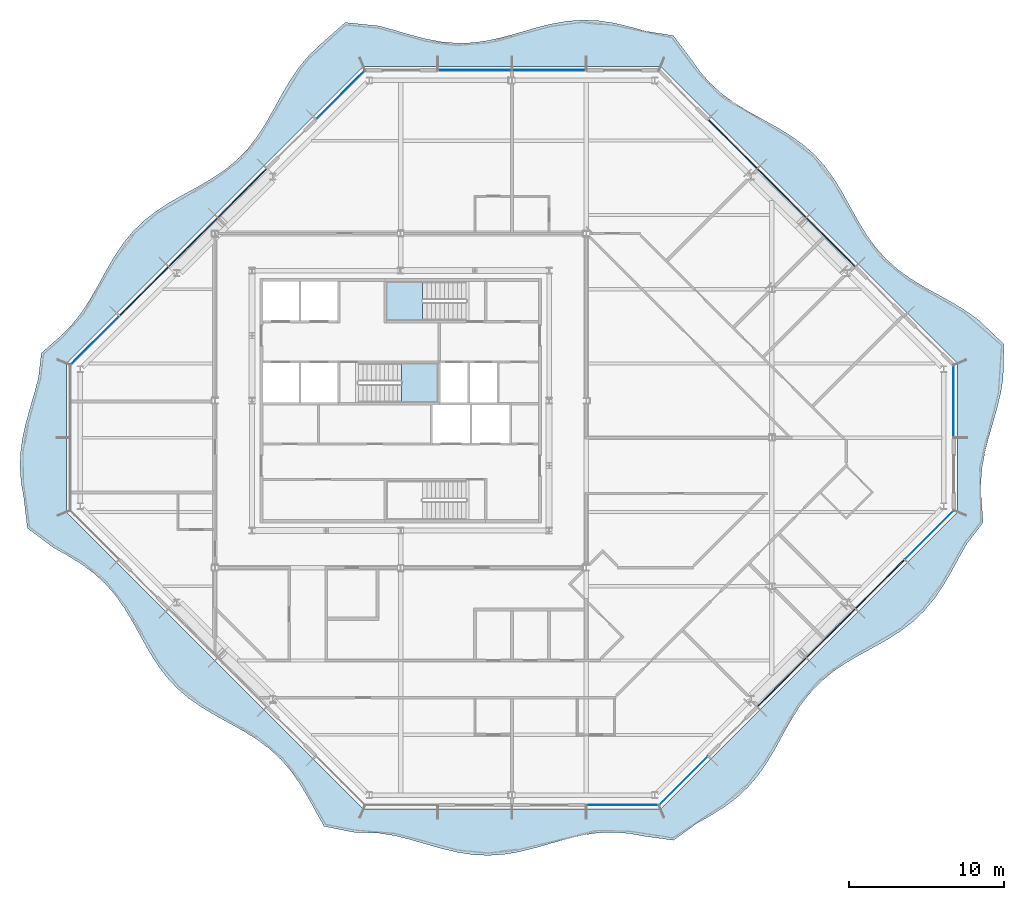
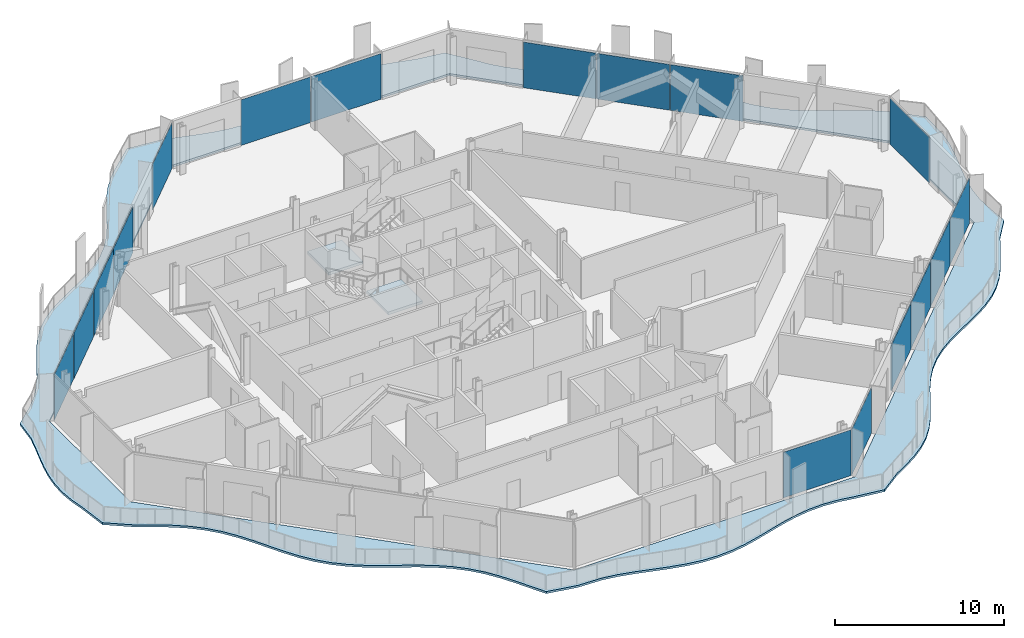
# One storey, part 6 of 17: 17 plates, 3 slabs, 8 elements without a shape of their own.
"""IFC4 building model written with IfcOpenShell, lengths in metres."""

from ifc_helpers import new_model, si_unit, direction, frame, origin, origin_2d, place, context, subcontext, project, spatial, polyline, rectangle, outline, extrude, material, layer, layer_set, type_object, element, aggregate, save


model = new_model("IFC4")

# Units and contexts
model_context = context("Model", 3, precision=1e-05, world=origin(), true_north=direction((0.0, 1.0)))
body_context = subcontext(model_context, "Body", "Model", "MODEL_VIEW")
ifc_project = project(units=[si_unit("LENGTHUNIT", "METRE"), si_unit("AREAUNIT", "SQUARE_METRE"), si_unit("VOLUMEUNIT", "CUBIC_METRE"), si_unit("PLANEANGLEUNIT", "RADIAN"), si_unit("MASSUNIT", "GRAM", prefix="KILO")], contexts=[model_context])

# Site, building, storey
site_placement = place(None, origin())
site = spatial("IfcSite", under=ifc_project, at=site_placement, CompositionType="ELEMENT")
building_placement = place(site_placement, origin())
building = spatial("IfcBuilding", under=site, at=building_placement, Name="Cairn Pilgrim Tower", CompositionType="ELEMENT")
storey_placement = place(building_placement, frame((0.0, 0.0, 214.199951171875)))
storey = spatial("IfcBuildingStorey", under=building, at=storey_placement, Name="L54", CompositionType="ELEMENT", Elevation=214.199951171875)

# Slab
ifc_material_1 = material(Name="Concrete C35/45", Category="concrete")
ifc_layer_1 = layer(ifc_material_1, 0.14990234375)
ifc_layer_set_1 = layer_set([ifc_layer_1], Name="BALCONY SLAB 150 CONCRETE C35/45")
slab_type_1 = type_object("IfcSlabType", Name="BALCONY SLAB 150 CONCRETE C35/45", PredefinedType="FLOOR", material=ifc_layer_set_1)
slab_1_placement = place(storey_placement, frame((0.0, 0.0, -0.14990234375)))
element("IfcSlab", 1, at=slab_1_placement, inside=storey, type_object=slab_type_1, Name="Balcony slab BS-1", PredefinedType="FLOOR", context=body_context, shape_type="SweptSolid", body=[
    extrude(outline(polyline([(2.256103515625, -25.121826171875), (4.1787109375, -25.5), (5.810546875, -25.558349609375), (6.821044921875, -25.72412109375), (7.83154296875, -25.9716796875), (8.842041015625, -26.262451171875), (9.8525390625, -26.55126953125), (10.863037109375, -26.793212890625), (11.873779296875, -26.950927734375), (12.88427734375, -26.99951171875), (13.894775390625, -26.931640625), (14.9052734375, -26.758056640625), (15.915771484375, -26.505126953125), (16.92626953125, -26.212890625), (17.936767578125, -25.92626953125), (18.947265625, -25.68994140625), (19.9580078125, -25.54052734375), (20.968505859375, -25.501708984375), (21.97900390625, -25.578857421875), (22.989501953125, -25.760498046875), (24.8359375, -26.018310546875), (26.344970703125, -24.922607421875), (27.256103515625, -24.41162109375), (28.1298828125, -23.86328125), (28.941162109375, -23.25244140625), (29.6748046875, -22.563720703125), (30.326904296875, -21.793701171875), (30.906982421875, -20.951416015625), (31.434814453125, -20.056884765625), (31.938720703125, -19.138916015625), (32.450927734375, -18.228759765625), (33.001708984375, -17.357177734375), (33.61572265625, -16.549072265625), (34.30810546875, -15.8193359375), (35.081787109375, -15.170654296875), (35.9267578125, -14.593505859375), (36.822998046875, -14.0673828125), (37.741455078125, -13.563720703125), (38.650390625, -13.050537109375), (39.51953125, -12.497314453125), (40.324462890625, -11.8798828125), (41.050537109375, -11.183837890625), (41.695556640625, -10.40673828125), (42.27001953125, -9.558837890625), (42.79443359375, -8.6611328125), (43.2978515625, -7.7421875), (43.812255859375, -6.83447265625), (44.8515625, -5.484130859375), (44.72705078125, -3.840087890625), (44.704345703125, -2.8798828125), (44.7861328125, -1.919921875), (44.96142578125, -0.9599609375), (45.205078125, 0.0), (45.483154296875, 0.9599609375), (45.7568359375, 1.919921875), (45.987060546875, 2.8798828125), (46.14208984375, 3.840087890625), (46.199951171875, 6.04248046875), (44.572998046875, 7.59521484375), (43.7490234375, 8.193359375), (42.866455078125, 8.733154296875), (41.95166015625, 9.240478515625), (41.0361328125, 9.747314453125), (40.1513671875, 10.28466796875), (39.32373046875, 10.87939453125), (38.57177734375, 11.549560546875), (37.9013671875, 12.30126953125), (37.306396484375, 13.12841796875), (36.768798828125, 14.01318359375), (36.261962890625, 14.9287109375), (35.754638671875, 15.843505859375), (35.215087890625, 16.726318359375), (34.6171875, 17.550537109375), (33.943359375, 18.299072265625), (33.18798828125, 18.9658203125), (32.35791015625, 19.557861328125), (31.47119140625, 20.09326171875), (30.554931640625, 20.599365234375), (29.640869140625, 21.107666015625), (28.76025390625, 21.649169921875), (27.939208984375, 22.250244140625), (27.1943359375, 22.927734375), (26.531005859375, 23.686767578125), (25.942138671875, 24.52001953125), (24.8251953125, 25.991943359375), (22.989501953125, 26.2841796875), (21.97900390625, 26.571044921875), (20.968505859375, 26.80810546875), (19.9580078125, 26.95849609375), (18.947265625, 26.99853515625), (17.936767578125, 26.92236328125), (16.92626953125, 26.74169921875), (15.915771484375, 26.484619140625), (14.9052734375, 26.19091796875), (13.894775390625, 25.906494140625), (12.88427734375, 25.675537109375), (11.873779296875, 25.533935546875), (10.863037109375, 25.50341796875), (9.8525390625, 25.589111328125), (8.842041015625, 25.77734375), (7.83154296875, 26.0390625), (6.821044921875, 26.333740234375), (5.810546875, 26.615234375), (3.62353515625, 26.840087890625), (1.98681640625, 25.390869140625), (1.260498046875, 24.695068359375), (0.615234375, 23.91796875), (0.041015625, 23.0703125), (-0.483642578125, 22.172607421875), (-0.987060546875, 21.253662109375), (-1.50146484375, 20.345947265625), (-2.056884765625, 19.47900390625), (-2.677490234375, 18.677490234375), (-3.377197265625, 17.954833984375), (-4.15771484375, 17.313232421875), (-5.00830078125, 16.741455078125), (-5.907470703125, 16.218505859375), (-6.826416015625, 15.71533203125), (-7.733154296875, 15.19970703125), (-8.597412109375, 14.641845703125), (-9.395751953125, 14.017822265625), (-10.114501953125, 13.314453125), (-10.7529296875, 12.530517578125), (-11.32177734375, 11.67724609375), (-11.843017578125, 10.7763671875), (-12.34619140625, 9.857421875), (-12.863037109375, 8.951904296875), (-13.423583984375, 8.09033203125), (-14.05078125, 7.29541015625), (-14.7578125, 6.580078125), (-16.019775390625, 5.470947265625), (-16.213623046875, 3.840087890625), (-16.46875, 2.8798828125), (-16.74951171875, 1.919921875), (-17.01611328125, 0.9599609375), (-17.2314453125, 0.0), (-17.364990234375, -0.9599609375), (-17.398193359375, -1.919921875), (-17.326171875, -2.8798828125), (-17.159423828125, -3.840087890625), (-16.9208984375, -5.84423828125), (-15.266357421875, -7.088623046875), (-14.3525390625, -7.596923828125), (-13.4716796875, -8.138427734375), (-12.650390625, -8.7392578125), (-11.905517578125, -9.41650390625), (-11.2421875, -10.17529296875), (-10.653076171875, -11.008544921875), (-10.119384765625, -11.897216796875), (-9.61376953125, -12.813720703125), (-9.104736328125, -13.72705078125), (-8.56103515625, -14.605712890625), (-7.95703125, -15.423828125), (-7.276123046875, -16.1650390625), (-6.513671875, -16.82470703125), (-5.677490234375, -17.410888671875), (-4.787109375, -17.942626953125), (-3.869873046875, -18.447509765625), (-2.95751953125, -18.95751953125), (-2.081298828125, -19.50341796875), (-1.26611328125, -20.110595703125), (-0.528564453125, -20.795166015625), (0.12744140625, -21.561279296875), (0.710693359375, -22.400390625), (1.24072265625, -23.292724609375), (1.7451171875, -24.21044921875), (2.256103515625, -25.121826171875)]), holes=[polyline([(24.0, -24.0), (4.800048828125, -24.0), (-14.39990234375, -4.800048828125), (-14.39990234375, 4.800048828125), (4.800048828125, 24.0), (24.0, 24.0), (43.199951171875, 4.800048828125), (43.199951171875, -4.800048828125), (24.0, -24.0)])]), origin(), (0.0, 0.0, 1.0), 0.14990234375),
])

# Curtain wall, plates
ifc_material_2 = material(Name="Aluminium alloy 6063-T6 bronze anodised with Bronze tinted laminated low-E glass 8+16+8.8", Category="aluminium")
curtain_wall_type_1 = type_object("IfcCurtainWallType", Name="CHAMFER CORNER CURTAIN WALL", PredefinedType="NOTDEFINED", material=ifc_material_2)
curtain_wall_1_placement = place(storey_placement, origin())
curtain_wall_1 = element("IfcCurtainWall", 2, at=curtain_wall_1_placement, inside=storey, type_object=curtain_wall_type_1, Name="Chamfer Corner Curtain Wall SE", PredefinedType="NOTDEFINED")
ifc_material_3 = material(Name="Bronze anodised aluminium spandrel panel with mineral wool insulation", Category="aluminium")
ifc_layer_2 = layer(ifc_material_3, 0.06005859375)
ifc_layer_set_2 = layer_set([ifc_layer_2], Name="SPANDREL PANEL 4431x3300")
plate_type_1 = type_object("IfcPlateType", Name="SPANDREL PANEL 4431x3300", PredefinedType="CURTAIN_PANEL", material=ifc_layer_set_2)
plate_1_placement = place(storey_placement, frame((31.83544921875, -15.81103515625, 0.0), z_axis=(0.0, 0.0, 1.0), x_axis=(0.707106781187, 0.707106781187, 0.0)))
plate_1 = element("IfcPlate", 3, at=plate_1_placement, type_object=plate_type_1, Name="Spandrel Panel SE3-1", PredefinedType="CURTAIN_PANEL", context=body_context, shape_type="SweptSolid", body=[
    extrude(rectangle(XDim=4.430908203125, YDim=0.06005859375, at=origin_2d()), origin(), (0.0, 0.0, 1.0), 3.300048828125),
])
plate_2_placement = place(storey_placement, frame((35.010986328125, -12.635498046875, 0.0), z_axis=(0.0, 0.0, 1.0), x_axis=(0.707106781187, 0.707106781187, 0.0)))
plate_2 = element("IfcPlate", 4, at=plate_2_placement, type_object=plate_type_1, Name="Spandrel Panel SE4-1", PredefinedType="CURTAIN_PANEL", context=body_context, shape_type="SweptSolid", body=[
    extrude(rectangle(XDim=4.430908203125, YDim=0.06005859375, at=origin_2d()), origin(), (0.0, 0.0, 1.0), 3.300048828125),
])
plate_3_placement = place(storey_placement, frame((38.1865234375, -9.459716796875, 0.0), z_axis=(0.0, 0.0, 1.0), x_axis=(0.707106781187, 0.707106781187, 0.0)))
plate_3 = element("IfcPlate", 5, at=plate_3_placement, type_object=plate_type_1, Name="Spandrel Panel SE5-1", PredefinedType="CURTAIN_PANEL", context=body_context, shape_type="SweptSolid", body=[
    extrude(rectangle(XDim=4.430908203125, YDim=0.06005859375, at=origin_2d()), origin(), (0.0, 0.0, 1.0), 3.300048828125),
])

curtain_wall_2_placement = place(storey_placement, origin())
curtain_wall_2 = element("IfcCurtainWall", 6, at=curtain_wall_2_placement, inside=storey, type_object=curtain_wall_type_1, Name="Chamfer Corner Curtain Wall NE", PredefinedType="NOTDEFINED")
plate_4_placement = place(storey_placement, frame((35.010986328125, 12.635498046875, 0.0), z_axis=(0.0, 0.0, 1.0), x_axis=(-0.707106781187, 0.707106781187, 0.0)))
plate_4 = element("IfcPlate", 7, at=plate_4_placement, type_object=plate_type_1, Name="Spandrel Panel NE3-1", PredefinedType="CURTAIN_PANEL", context=body_context, shape_type="SweptSolid", body=[
    extrude(rectangle(XDim=4.430908203125, YDim=0.06005859375, at=origin_2d()), origin(), (0.0, 0.0, 1.0), 3.300048828125),
])
plate_5_placement = place(storey_placement, frame((31.83544921875, 15.81103515625, 0.0), z_axis=(0.0, 0.0, 1.0), x_axis=(-0.707106781187, 0.707106781187, 0.0)))
plate_5 = element("IfcPlate", 8, at=plate_5_placement, type_object=plate_type_1, Name="Spandrel Panel NE4-1", PredefinedType="CURTAIN_PANEL", context=body_context, shape_type="SweptSolid", body=[
    extrude(rectangle(XDim=4.430908203125, YDim=0.06005859375, at=origin_2d()), origin(), (0.0, 0.0, 1.0), 3.300048828125),
])
plate_6_placement = place(storey_placement, frame((28.659912109375, 18.986572265625, 0.0), z_axis=(0.0, 0.0, 1.0), x_axis=(-0.707106781187, 0.707106781187, 0.0)))
plate_6 = element("IfcPlate", 9, at=plate_6_placement, type_object=plate_type_1, Name="Spandrel Panel NE5-1", PredefinedType="CURTAIN_PANEL", context=body_context, shape_type="SweptSolid", body=[
    extrude(rectangle(XDim=4.430908203125, YDim=0.06005859375, at=origin_2d()), origin(), (0.0, 0.0, 1.0), 3.300048828125),
])
aggregate(curtain_wall_2, [plate_4, plate_5, plate_6])

curtain_wall_3_placement = place(storey_placement, origin())
curtain_wall_3 = element("IfcCurtainWall", 10, at=curtain_wall_3_placement, inside=storey, type_object=curtain_wall_type_1, Name="Chamfer Corner Curtain Wall NW", PredefinedType="NOTDEFINED")
plate_7_placement = place(storey_placement, frame((-3.035400390625, 15.81103515625, 0.0), z_axis=(0.0, 0.0, 1.0), x_axis=(-0.707106781187, -0.707106781187, 0.0)))
plate_7 = element("IfcPlate", 11, at=plate_7_placement, type_object=plate_type_1, Name="Spandrel Panel NW3-1", PredefinedType="CURTAIN_PANEL", context=body_context, shape_type="SweptSolid", body=[
    extrude(rectangle(XDim=4.430908203125, YDim=0.06005859375, at=origin_2d()), origin(), (0.0, 0.0, 1.0), 3.300048828125),
])
plate_8_placement = place(storey_placement, frame((-6.2109375, 12.635498046875, 0.0), z_axis=(0.0, 0.0, 1.0), x_axis=(-0.707106781187, -0.707106781187, 0.0)))
plate_8 = element("IfcPlate", 12, at=plate_8_placement, type_object=plate_type_1, Name="Spandrel Panel NW4-1", PredefinedType="CURTAIN_PANEL", context=body_context, shape_type="SweptSolid", body=[
    extrude(rectangle(XDim=4.430908203125, YDim=0.06005859375, at=origin_2d()), origin(), (0.0, 0.0, 1.0), 3.300048828125),
])
plate_9_placement = place(storey_placement, frame((-9.38671875, 9.459716796875, 0.0), z_axis=(0.0, 0.0, 1.0), x_axis=(-0.707106781187, -0.707106781187, 0.0)))
plate_9 = element("IfcPlate", 13, at=plate_9_placement, type_object=plate_type_1, Name="Spandrel Panel NW5-1", PredefinedType="CURTAIN_PANEL", context=body_context, shape_type="SweptSolid", body=[
    extrude(rectangle(XDim=4.430908203125, YDim=0.06005859375, at=origin_2d()), origin(), (0.0, 0.0, 1.0), 3.300048828125),
])

# Stair, slab
ifc_material_4 = material(Name="Concrete C32/40", Category="concrete")
stair_type = type_object("IfcStairType", Name="EXIT STAIR 1200", PredefinedType="HALF_TURN_STAIR", material=ifc_material_4)
stair_1_placement = place(storey_placement, origin())
stair_1 = element("IfcStair", 14, at=stair_1_placement, inside=storey, type_object=stair_type, Name="L54 Exit Stair B", PredefinedType="HALF_TURN_STAIR")
ifc_layer_3 = layer(ifc_material_4, 0.199951171875)
ifc_layer_set_3 = layer_set([ifc_layer_3], Name="STAIR LANDING 200")
slab_type_2 = type_object("IfcSlabType", Name="STAIR LANDING 200", PredefinedType="LANDING", material=ifc_layer_set_3)
slab_2_placement = place(storey_placement, frame((0.0, 0.0, 1.60009765625)))
slab_2 = element("IfcSlab", 15, at=slab_2_placement, type_object=slab_type_2, Name="ST-B landing 1", PredefinedType="LANDING", context=body_context, shape_type="SweptSolid", body=[
    extrude(outline(polyline([(7.27490234375, 2.27490234375), (9.625, 2.27490234375), (9.625, 4.824951171875), (7.27490234375, 4.824951171875), (7.27490234375, 2.27490234375)])), origin(), (0.0, 0.0, 1.0), 0.199951171875),
])
aggregate(stair_1, [slab_2])

stair_2_placement = place(storey_placement, origin())
stair_2 = element("IfcStair", 16, at=stair_2_placement, inside=storey, type_object=stair_type, Name="L54 Exit Stair C", PredefinedType="HALF_TURN_STAIR")
slab_3_placement = place(storey_placement, frame((0.0, 0.0, 1.60009765625)))
slab_3 = element("IfcSlab", 17, at=slab_3_placement, type_object=slab_type_2, Name="ST-C landing 1", PredefinedType="LANDING", context=body_context, shape_type="SweptSolid", body=[
    extrude(outline(polyline([(8.625, 10.10009765625), (6.27490234375, 10.10009765625), (6.27490234375, 7.574951171875), (8.625, 7.574951171875), (8.625, 10.10009765625)])), origin(), (0.0, 0.0, 1.0), 0.199951171875),
])
aggregate(stair_2, [slab_3])

# Plate
ifc_material_5 = material(Name="Bronze tinted laminated low-E glass 8+16+8.8", Category="glass")
ifc_layer_4 = layer(ifc_material_5, 0.033935546875)
ifc_layer_set_4 = layer_set([ifc_layer_4], Name="VISION GLAZING 4421x3300")
plate_type_2 = type_object("IfcPlateType", Name="VISION GLAZING 4421x3300", PredefinedType="CURTAIN_PANEL", material=ifc_layer_set_4)
plate_10_placement = place(storey_placement, frame((25.48779296875, -22.15869140625, 0.0), z_axis=(0.0, 0.0, 1.0), x_axis=(0.707106781187, 0.707106781187, 0.0)))
plate_10 = element("IfcPlate", 18, at=plate_10_placement, type_object=plate_type_2, Name="Vision Glazing SE1-1", PredefinedType="CURTAIN_PANEL", context=body_context, shape_type="SweptSolid", body=[
    extrude(rectangle(XDim=4.4208984375, YDim=0.033935546875, at=origin_2d()), origin(), (0.0, 0.0, 1.0), 3.300048828125),
])

plate_11_placement = place(storey_placement, frame((41.358642578125, -6.287841796875, 0.0), z_axis=(0.0, 0.0, 1.0), x_axis=(0.707106781187, 0.707106781187, 0.0)))
plate_11 = element("IfcPlate", 19, at=plate_11_placement, type_object=plate_type_2, Name="Vision Glazing SE6-1", PredefinedType="CURTAIN_PANEL", context=body_context, shape_type="SweptSolid", body=[
    extrude(rectangle(XDim=4.4208984375, YDim=0.033935546875, at=origin_2d()), origin(), (0.0, 0.0, 1.0), 3.300048828125),
])

aggregate(curtain_wall_1, [plate_10, plate_1, plate_2, plate_3, plate_11])

plate_12_placement = place(storey_placement, frame((3.312255859375, 22.15869140625, 0.0), z_axis=(0.0, 0.0, 1.0), x_axis=(-0.707106781187, -0.707106781187, 0.0)))
plate_12 = element("IfcPlate", 20, at=plate_12_placement, type_object=plate_type_2, Name="Vision Glazing NW1-1", PredefinedType="CURTAIN_PANEL", context=body_context, shape_type="SweptSolid", body=[
    extrude(rectangle(XDim=4.4208984375, YDim=0.033935546875, at=origin_2d()), origin(), (0.0, 0.0, 1.0), 3.300048828125),
])

plate_13_placement = place(storey_placement, frame((-12.55859375, 6.287841796875, 0.0), z_axis=(0.0, 0.0, 1.0), x_axis=(-0.707106781187, -0.707106781187, 0.0)))
plate_13 = element("IfcPlate", 21, at=plate_13_placement, type_object=plate_type_2, Name="Vision Glazing NW6-1", PredefinedType="CURTAIN_PANEL", context=body_context, shape_type="SweptSolid", body=[
    extrude(rectangle(XDim=4.4208984375, YDim=0.033935546875, at=origin_2d()), origin(), (0.0, 0.0, 1.0), 3.300048828125),
])

aggregate(curtain_wall_3, [plate_12, plate_7, plate_8, plate_9, plate_13])

# Curtain wall, plate
curtain_wall_type_2 = type_object("IfcCurtainWallType", Name="TOWER STICK CURTAIN WALL NS", PredefinedType="NOTDEFINED", material=ifc_material_2)
curtain_wall_4_placement = place(storey_placement, origin())
curtain_wall_4 = element("IfcCurtainWall", 22, at=curtain_wall_4_placement, inside=storey, type_object=curtain_wall_type_2, Name="Tower Stick Curtain Wall Ns S", PredefinedType="NOTDEFINED")
ifc_layer_5 = layer(ifc_material_5, 0.033935546875)
ifc_layer_set_5 = layer_set([ifc_layer_5], Name="VISION GLAZING 4626x3300")
plate_type_3 = type_object("IfcPlateType", Name="VISION GLAZING 4626x3300", PredefinedType="CURTAIN_PANEL", material=ifc_layer_set_5)
plate_14_placement = place(storey_placement, frame((21.543212890625, -23.75, 0.0), z_axis=(0.0, 0.0, 1.0), x_axis=(1.0, 0.0, 0.0)))
plate_14 = element("IfcPlate", 23, at=plate_14_placement, type_object=plate_type_3, Name="Vision Glazing S4-1", PredefinedType="CURTAIN_PANEL", context=body_context, shape_type="SweptSolid", body=[
    extrude(rectangle(XDim=4.62646484375, YDim=0.033935546875, at=origin_2d()), origin(), (0.0, 0.0, 1.0), 3.300048828125),
])
aggregate(curtain_wall_4, [plate_14])

curtain_wall_type_3 = type_object("IfcCurtainWallType", Name="TOWER STICK CURTAIN WALL EW", PredefinedType="NOTDEFINED", material=ifc_material_2)
curtain_wall_5_placement = place(storey_placement, origin())
curtain_wall_5 = element("IfcCurtainWall", 24, at=curtain_wall_5_placement, inside=storey, type_object=curtain_wall_type_3, Name="Tower Stick Curtain Wall Ew E", PredefinedType="NOTDEFINED")
plate_15_placement = place(storey_placement, frame((42.949951171875, 2.34326171875, 0.0), z_axis=(0.0, 0.0, 1.0), x_axis=(0.0, 1.0, 0.0)))
plate_15 = element("IfcPlate", 25, at=plate_15_placement, type_object=plate_type_3, Name="Vision Glazing E2-1", PredefinedType="CURTAIN_PANEL", context=body_context, shape_type="SweptSolid", body=[
    extrude(rectangle(XDim=4.62646484375, YDim=0.033935546875, at=origin_2d()), origin(), (0.0, 0.0, 1.0), 3.300048828125),
])
aggregate(curtain_wall_5, [plate_15])

# Curtain wall, plates
curtain_wall_6_placement = place(storey_placement, origin())
curtain_wall_6 = element("IfcCurtainWall", 26, at=curtain_wall_6_placement, inside=storey, type_object=curtain_wall_type_2, Name="Tower Stick Curtain Wall Ns N", PredefinedType="NOTDEFINED")
ifc_layer_6 = layer(ifc_material_5, 0.033935546875)
ifc_layer_set_6 = layer_set([ifc_layer_6], Name="VISION GLAZING 4740x3300")
plate_type_4 = type_object("IfcPlateType", Name="VISION GLAZING 4740x3300", PredefinedType="CURTAIN_PANEL", material=ifc_layer_set_6)
plate_16_placement = place(storey_placement, frame((16.800048828125, 23.75, 0.0), z_axis=(0.0, 0.0, 1.0), x_axis=(-1.0, 0.0, 0.0)))
plate_16 = element("IfcPlate", 27, at=plate_16_placement, type_object=plate_type_4, Name="Vision Glazing N2-1", PredefinedType="CURTAIN_PANEL", context=body_context, shape_type="SweptSolid", body=[
    extrude(rectangle(XDim=4.739990234375, YDim=0.033935546875, at=origin_2d()), origin(), (0.0, 0.0, 1.0), 3.300048828125),
])
plate_17_placement = place(storey_placement, frame((12.0, 23.75, 0.0), z_axis=(0.0, 0.0, 1.0), x_axis=(-1.0, 0.0, 0.0)))
plate_17 = element("IfcPlate", 28, at=plate_17_placement, type_object=plate_type_4, Name="Vision Glazing N3-1", PredefinedType="CURTAIN_PANEL", context=body_context, shape_type="SweptSolid", body=[
    extrude(rectangle(XDim=4.739990234375, YDim=0.033935546875, at=origin_2d()), origin(), (0.0, 0.0, 1.0), 3.300048828125),
])
aggregate(curtain_wall_6, [plate_16, plate_17])

save(model, "model.ifc")
